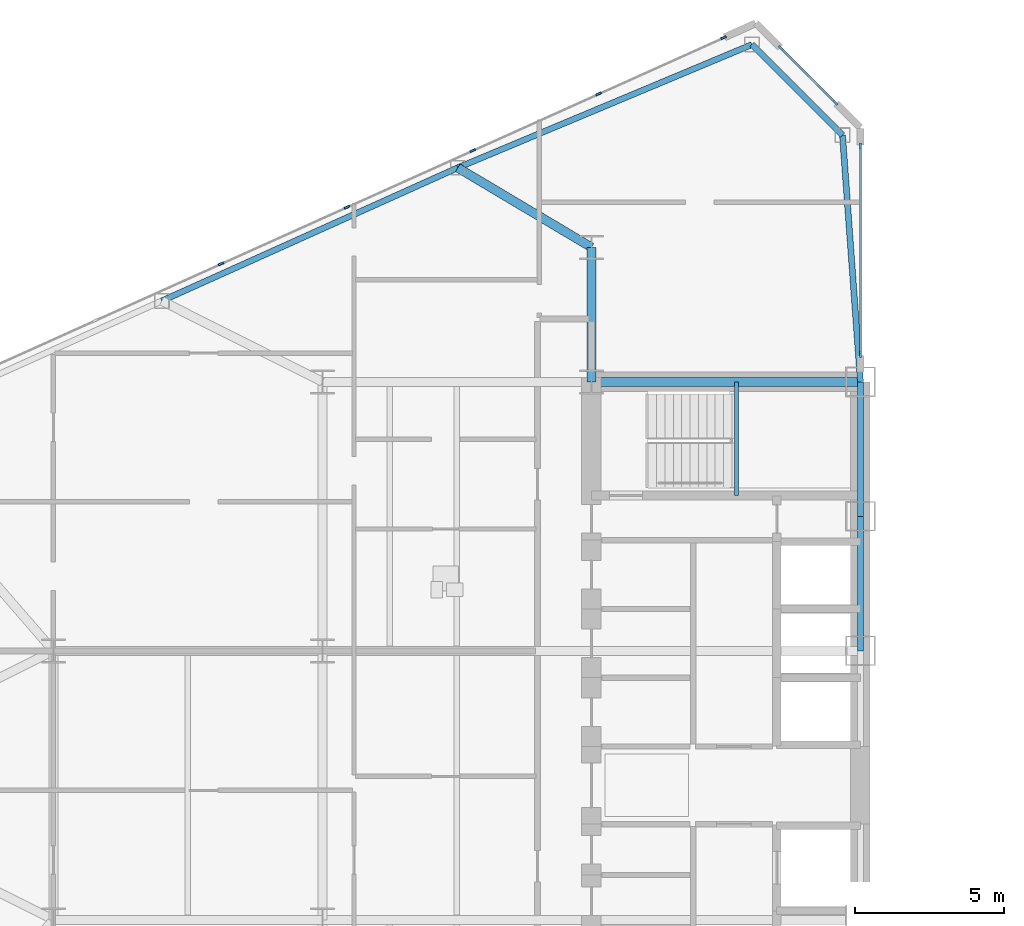
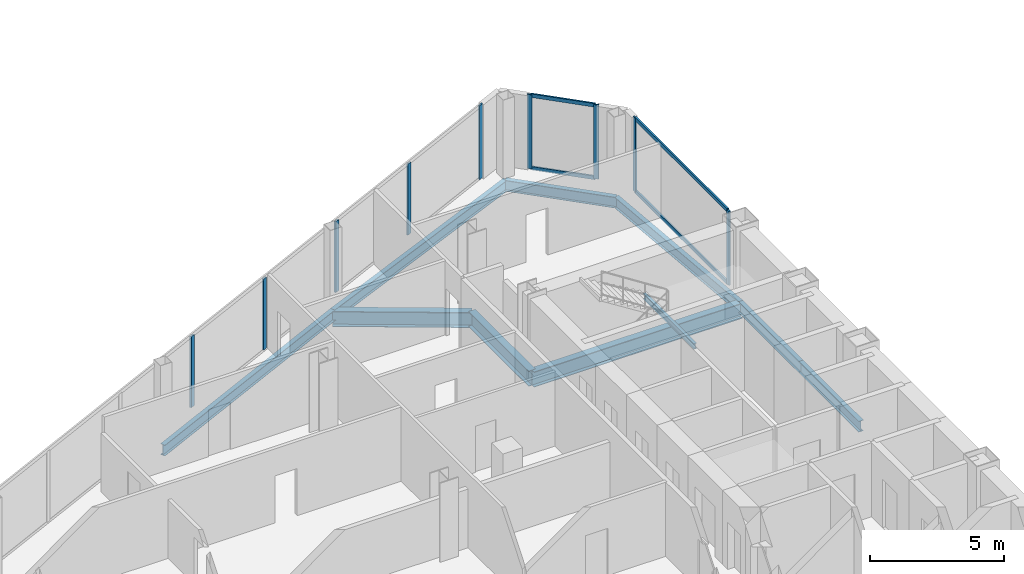
# One storey, part 9 of 27: 13 members, 10 beams, 3 elements without a shape of their own.
"""IFC4 building model written with IfcOpenShell, lengths in metres."""

from ifc_helpers import new_model, si_unit, direction, frame, origin, origin_2d, place, context, subcontext, project, spatial, rectangle, i_section, extrude, source, transform, mapped, material, layer, layer_set, material_profile, profile_set, type_object, type_shapes, element, aggregate, save


model = new_model("IFC4")

# Units and contexts
model_context = context("Model", 3, precision=1e-05, world=origin(), true_north=direction((0.0, 1.0)))
body_context = subcontext(model_context, "Body", "Model", "MODEL_VIEW")
ifc_project = project(units=[si_unit("LENGTHUNIT", "METRE"), si_unit("AREAUNIT", "SQUARE_METRE"), si_unit("VOLUMEUNIT", "CUBIC_METRE"), si_unit("PLANEANGLEUNIT", "RADIAN"), si_unit("MASSUNIT", "GRAM", prefix="KILO")], contexts=[model_context])

# Site, building, storey
site_placement = place(None, origin())
site = spatial("IfcSite", under=ifc_project, at=site_placement, CompositionType="ELEMENT")
building_placement = place(site_placement, origin())
building = spatial("IfcBuilding", under=site, at=building_placement, Name="Seokmaru Belvedere", CompositionType="ELEMENT")
storey_placement = place(building_placement, frame((0.0, 0.0, 76.5)))
storey = spatial("IfcBuildingStorey", under=building, at=storey_placement, Name="L20", CompositionType="ELEMENT", Elevation=76.5)

# Beams
ifc_material_1 = material(Name="Steel SM355 (355 MPa)", Category="steel")
ifc_material_profile_1 = material_profile(ifc_material_1, i_section(OverallWidth=0.199951171875, OverallDepth=0.5, WebThickness=0.010009765625, FlangeThickness=0.01611328125, at=origin_2d()), Name="H-500x200x10x16")
ifc_profile_set_1 = profile_set([ifc_material_profile_1], Name="Steel SM355 (355 MPa)")
beam_type_1 = type_object("IfcBeamType", Name="Perimeter Spandrel Beam H-500", PredefinedType="SPANDREL", material=ifc_profile_set_1)
shared_shape_1 = source(origin(), body_context, "Body", "SweptSolid", [
    extrude(i_section(OverallWidth=0.199951171875, OverallDepth=0.5, WebThickness=0.010009765625, FlangeThickness=0.01611328125, at=origin_2d()), origin(), (0.0, 0.0, 1.0), 4.5),
])
for number, where, z_axis, x_axis, name in (
    (1, (-27.5, 4.5, -0.469970703125), (0.0, 1.0, 0.0), (-1.0, 0.0, 0.0), "L20 W Portal Spine Spandrel 4"),
    (2, (-27.5, 9.0, -0.469970703125), (0.0, 1.0, 0.0), (-1.0, 0.0, 0.0), "L20 W Portal Spine Spandrel 5"),
):
    element("IfcBeam", number, at=place(storey_placement, frame(where, z_axis=z_axis, x_axis=x_axis)), inside=storey, type_object=beam_type_1, Name=name, PredefinedType="SPANDREL", context=body_context, shape_type="MappedRepresentation", body=[
        mapped(shared_shape_1, transform((0.0, 0.0, 0.0), scale=1.0)),
    ])
ifc_material_profile_2 = material_profile(ifc_material_1, i_section(OverallWidth=0.300048828125, OverallDepth=0.699951171875, WebThickness=0.012939453125, FlangeThickness=0.02392578125, at=origin_2d()), Name="H-700x300x13x24")
ifc_profile_set_2 = profile_set([ifc_material_profile_2], Name="Steel SM355 (355 MPa)")
beam_type_2 = type_object("IfcBeamType", Name="Primary Floor Girder H-700", PredefinedType="BEAM", material=ifc_profile_set_2)
shared_shape_2 = source(origin(), body_context, "Body", "SweptSolid", [
    extrude(i_section(OverallWidth=0.300048828125, OverallDepth=0.699951171875, WebThickness=0.012939453125, FlangeThickness=0.02392578125, at=origin_2d()), origin(), (0.0, 0.0, 1.0), 4.5),
])
beam_1_placement = place(storey_placement, frame((-36.5, 13.5, -0.570068359375), z_axis=(0.0, 1.0, 0.0), x_axis=(-1.0, 0.0, 0.0)))
element("IfcBeam", 3, at=beam_1_placement, inside=storey, type_object=beam_type_2, Name="L20 W Core Shoulder Girder N", PredefinedType="BEAM", context=body_context, shape_type="MappedRepresentation", body=[
    mapped(shared_shape_2, transform((0.0, 0.0, 0.0), scale=1.0)),
])
shared_shape_3 = source(origin(), body_context, "Body", "SweptSolid", [
    extrude(i_section(OverallWidth=0.300048828125, OverallDepth=0.699951171875, WebThickness=0.012939453125, FlangeThickness=0.02392578125, at=origin_2d()), origin(), (0.0, 0.0, 1.0), 9.0),
])
beam_2_placement = place(storey_placement, frame((-36.5, 13.5, -0.570068359375), z_axis=(1.0, 0.0, 0.0), x_axis=(0.0, 1.0, 0.0)))
element("IfcBeam", 4, at=beam_2_placement, inside=storey, type_object=beam_type_2, Name="L20 W Core Tie Girder 4", PredefinedType="BEAM", context=body_context, shape_type="MappedRepresentation", body=[
    mapped(shared_shape_3, transform((0.0, 0.0, 0.0), scale=1.0)),
])
shared_shape_4 = source(origin(), body_context, "Body", "SweptSolid", [
    extrude(i_section(OverallWidth=0.199951171875, OverallDepth=0.5, WebThickness=0.010009765625, FlangeThickness=0.01611328125, at=origin_2d()), origin(), (0.0, 0.0, 1.0), 10.66943359375),
])
beam_3_placement = place(storey_placement, frame((-31.13134765625, 24.782958984375, -0.469970703125), z_axis=(-0.922375393128, -0.386294750355, 0.0), x_axis=(0.386294750355, -0.922375393128, 0.0)))
element("IfcBeam", 5, at=beam_3_placement, inside=storey, type_object=beam_type_1, Name="L20 W Faceted Flank Spandrel N-1", PredefinedType="SPANDREL", context=body_context, shape_type="MappedRepresentation", body=[
    mapped(shared_shape_4, transform((0.0, 0.0, 0.0), scale=1.0)),
])
shared_shape_5 = source(origin(), body_context, "Body", "SweptSolid", [
    extrude(i_section(OverallWidth=0.199951171875, OverallDepth=0.5, WebThickness=0.010009765625, FlangeThickness=0.01611328125, at=origin_2d()), origin(), (0.0, 0.0, 1.0), 10.85888671875),
])
beam_4_placement = place(storey_placement, frame((-40.97265625, 20.661376953125, -0.469970703125), z_axis=(-0.911921505175, -0.410364677329, 0.0), x_axis=(0.410364677329, -0.911921505175, 0.0)))
element("IfcBeam", 6, at=beam_4_placement, inside=storey, type_object=beam_type_1, Name="L20 W Faceted Flank Spandrel N-2", PredefinedType="SPANDREL", context=body_context, shape_type="MappedRepresentation", body=[
    mapped(shared_shape_5, transform((0.0, 0.0, 0.0), scale=1.0)),
])
shared_shape_6 = source(origin(), body_context, "Body", "SweptSolid", [
    extrude(i_section(OverallWidth=0.199951171875, OverallDepth=0.5, WebThickness=0.010009765625, FlangeThickness=0.01611328125, at=origin_2d()), origin(), (0.0, 0.0, 1.0), 4.287109375),
])
beam_5_placement = place(storey_placement, frame((-31.13134765625, 24.782958984375, -0.469970703125), z_axis=(0.707078306132, -0.707135255094, 0.0), x_axis=(0.707135255094, 0.707078306132, 0.0)))
element("IfcBeam", 7, at=beam_5_placement, inside=storey, type_object=beam_type_1, Name="L20 W Shoulder Chamfer Spandrel N", PredefinedType="SPANDREL", context=body_context, shape_type="MappedRepresentation", body=[
    mapped(shared_shape_6, transform((0.0, 0.0, 0.0), scale=1.0)),
])
shared_shape_7 = source(origin(), body_context, "Body", "SweptSolid", [
    extrude(i_section(OverallWidth=0.199951171875, OverallDepth=0.5, WebThickness=0.010009765625, FlangeThickness=0.01611328125, at=origin_2d()), origin(), (0.0, 0.0, 1.0), 8.273193359375),
])
type_shapes(beam_type_1, [shared_shape_1, shared_shape_4, shared_shape_5, shared_shape_6, shared_shape_7])
beam_6_placement = place(storey_placement, frame((-28.10009765625, 21.75146484375, -0.469970703125), z_axis=(0.072534628348, -0.99736589459, 0.0), x_axis=(0.99736589459, 0.072534628348, 0.0)))
element("IfcBeam", 8, at=beam_6_placement, inside=storey, type_object=beam_type_1, Name="L20 W Shoulder Spine Spandrel N", PredefinedType="SPANDREL", context=body_context, shape_type="MappedRepresentation", body=[
    mapped(shared_shape_7, transform((0.0, 0.0, 0.0), scale=1.0)),
])
shared_shape_8 = source(origin(), body_context, "Body", "SweptSolid", [
    extrude(i_section(OverallWidth=0.300048828125, OverallDepth=0.699951171875, WebThickness=0.012939453125, FlangeThickness=0.02392578125, at=origin_2d()), origin(), (0.0, 0.0, 1.0), 5.20458984375),
])
type_shapes(beam_type_2, [shared_shape_2, shared_shape_3, shared_shape_8])
beam_7_placement = place(storey_placement, frame((-40.97265625, 20.661376953125, -0.570068359375), z_axis=(0.859370434188, -0.511353553662, 0.0), x_axis=(0.511353553662, 0.859370434188, 0.0)))
element("IfcBeam", 9, at=beam_7_placement, inside=storey, type_object=beam_type_2, Name="L20 W Flank Radial Floor Girder N-1", PredefinedType="BEAM", context=body_context, shape_type="MappedRepresentation", body=[
    mapped(shared_shape_8, transform((0.0, 0.0, 0.0), scale=1.0)),
])

# Curtain wall, members
ifc_material_2 = material(Name="Bronze Triple Insulating Glass", Category="glass")
ifc_layer = layer(ifc_material_2, 0.195068359375)
ifc_layer_set = layer_set([ifc_layer], Name="Bronze Triple Insulating Glass")
curtain_wall_type = type_object("IfcCurtainWallType", Name="Lower-Mid Tapered Curtain Wall System CW-3", PredefinedType="NOTDEFINED", material=ifc_layer_set)
curtain_wall_1_placement = place(storey_placement, origin())
curtain_wall_1 = element("IfcCurtainWall", 10, at=curtain_wall_1_placement, inside=storey, type_object=curtain_wall_type, Name="L20 Curtain Wall WSP_2", PredefinedType="NOTDEFINED")
ifc_material_3 = material(Name="Anodised Bronze Aluminium", Category="aluminium")
ifc_material_profile_3 = material_profile(ifc_material_3, rectangle(XDim=0.070068359375, YDim=0.195068359375, at=origin_2d()), Name="CW-M-70x195")
ifc_profile_set_3 = profile_set([ifc_material_profile_3], Name="Anodised Bronze Aluminium")
member_type_1 = type_object("IfcMemberType", Name="Bronze Unitised Mullion 70x195", PredefinedType="MULLION", material=ifc_profile_set_3)
shared_shape_9 = source(origin(), body_context, "Body", "SweptSolid", [
    extrude(rectangle(XDim=0.070068359375, YDim=0.195068359375, at=origin_2d()), origin(), (0.0, 0.0, 1.0), 3.3798828125),
])
member_1_placement = place(storey_placement, frame((-27.5, 14.4150390625, 0.0), z_axis=(0.0, 0.0, 1.0), x_axis=(-1.0, 0.0, 0.0)))
member_1 = element("IfcMember", 11, at=member_1_placement, type_object=member_type_1, Name="CW:L20:WSP_2 Mullion 1", PredefinedType="MULLION", context=body_context, shape_type="MappedRepresentation", body=[
    mapped(shared_shape_9, transform((0.0, 0.0, 0.0), scale=1.0)),
])
member_2_placement = place(storey_placement, frame((-27.5, 21.39501953125, 0.0), z_axis=(0.0, 0.0, 1.0), x_axis=(-1.0, 0.0, 0.0)))
member_2 = element("IfcMember", 12, at=member_2_placement, type_object=member_type_1, Name="CW:L20:WSP_2 Mullion 2", PredefinedType="MULLION", context=body_context, shape_type="MappedRepresentation", body=[
    mapped(shared_shape_9, transform((0.0, 0.0, 0.0), scale=1.0)),
])

curtain_wall_2_placement = place(storey_placement, origin())
curtain_wall_2 = element("IfcCurtainWall", 13, at=curtain_wall_2_placement, inside=storey, type_object=curtain_wall_type, Name="L20 Curtain Wall WF2", PredefinedType="NOTDEFINED")
member_3_placement = place(storey_placement, frame((-28.337890625, 22.837890625, 0.0), z_axis=(0.0, 0.0, 1.0), x_axis=(-0.707106781187, -0.707106781187, 0.0)))
member_3 = element("IfcMember", 14, at=member_3_placement, type_object=member_type_1, Name="CW:L20:WF2 Mullion 1", PredefinedType="MULLION", context=body_context, shape_type="MappedRepresentation", body=[
    mapped(shared_shape_9, transform((0.0, 0.0, 0.0), scale=1.0)),
])
member_4_placement = place(storey_placement, frame((-30.162109375, 24.662109375, 0.0), z_axis=(0.0, 0.0, 1.0), x_axis=(-0.707106781187, -0.707106781187, 0.0)))
member_4 = element("IfcMember", 15, at=member_4_placement, type_object=member_type_1, Name="CW:L20:WF2 Mullion 2", PredefinedType="MULLION", context=body_context, shape_type="MappedRepresentation", body=[
    mapped(shared_shape_9, transform((0.0, 0.0, 0.0), scale=1.0)),
])

# Curtain wall, member
curtain_wall_3_placement = place(storey_placement, origin())
curtain_wall_3 = element("IfcCurtainWall", 16, at=curtain_wall_3_placement, inside=storey, type_object=curtain_wall_type, Name="L20 Curtain Wall WF3", PredefinedType="NOTDEFINED")
member_5_placement = place(storey_placement, frame((-32.08056640625, 25.013671875, 0.0), z_axis=(0.0, 0.0, 1.0), x_axis=(0.41036554765, -0.91192111353, 0.0)))
member_5 = element("IfcMember", 17, at=member_5_placement, type_object=member_type_1, Name="CW:L20:WF3 Mullion 1", PredefinedType="MULLION", context=body_context, shape_type="MappedRepresentation", body=[
    mapped(shared_shape_9, transform((0.0, 0.0, 0.0), scale=1.0)),
])

# Member
ifc_material_profile_4 = material_profile(ifc_material_3, rectangle(XDim=0.070068359375, YDim=0.1650390625, at=origin_2d()), Name="CW-T-70x165")
ifc_profile_set_4 = profile_set([ifc_material_profile_4], Name="Anodised Bronze Aluminium")
member_type_2 = type_object("IfcMemberType", Name="Bronze Unitised Transom 70x165", PredefinedType="USERDEFINED", material=ifc_profile_set_4)
shared_shape_10 = source(origin(), body_context, "Body", "SweptSolid", [
    extrude(rectangle(XDim=0.070068359375, YDim=0.1650390625, at=origin_2d()), origin(), (0.0, 0.0, 1.0), 6.91015625),
])
member_6_placement = place(storey_placement, frame((-27.5, 14.449951171875, 0.034912109375), z_axis=(0.0, 1.0, 0.0), x_axis=(-1.0, 0.0, 0.0)))
member_6 = element("IfcMember", 18, at=member_6_placement, type_object=member_type_2, Name="CW:L20:WSP_2 Continuous Transom 1", ObjectType="TRANSOM", PredefinedType="USERDEFINED", context=body_context, shape_type="MappedRepresentation", body=[
    mapped(shared_shape_10, transform((0.0, 0.0, 0.0), scale=1.0)),
])

member_7_placement = place(storey_placement, frame((-27.5, 14.449951171875, 3.344970703125), z_axis=(0.0, 1.0, 0.0), x_axis=(-1.0, 0.0, 0.0)))
member_7 = element("IfcMember", 19, at=member_7_placement, type_object=member_type_2, Name="CW:L20:WSP_2 Continuous Transom 2", ObjectType="TRANSOM", PredefinedType="USERDEFINED", context=body_context, shape_type="MappedRepresentation", body=[
    mapped(shared_shape_10, transform((0.0, 0.0, 0.0), scale=1.0)),
])

aggregate(curtain_wall_1, [member_1, member_2, member_6, member_7])

shared_shape_11 = source(origin(), body_context, "Body", "SweptSolid", [
    extrude(rectangle(XDim=0.070068359375, YDim=0.1650390625, at=origin_2d()), origin(), (0.0, 0.0, 1.0), 2.509521484375),
])
type_shapes(member_type_2, [shared_shape_10, shared_shape_11])
member_8_placement = place(storey_placement, frame((-28.36279296875, 22.86279296875, 0.034912109375), z_axis=(-0.707106781187, 0.707106781187, 0.0), x_axis=(-0.707106781187, -0.707106781187, 0.0)))
member_8 = element("IfcMember", 20, at=member_8_placement, type_object=member_type_2, Name="CW:L20:WF2 Continuous Transom 1", ObjectType="TRANSOM", PredefinedType="USERDEFINED", context=body_context, shape_type="MappedRepresentation", body=[
    mapped(shared_shape_11, transform((0.0, 0.0, 0.0), scale=1.0)),
])

member_9_placement = place(storey_placement, frame((-28.36279296875, 22.86279296875, 3.344970703125), z_axis=(-0.707106781187, 0.707106781187, 0.0), x_axis=(-0.707106781187, -0.707106781187, 0.0)))
member_9 = element("IfcMember", 21, at=member_9_placement, type_object=member_type_2, Name="CW:L20:WF2 Continuous Transom 2", ObjectType="TRANSOM", PredefinedType="USERDEFINED", context=body_context, shape_type="MappedRepresentation", body=[
    mapped(shared_shape_11, transform((0.0, 0.0, 0.0), scale=1.0)),
])

aggregate(curtain_wall_2, [member_3, member_4, member_8, member_9])

shared_shape_12 = source(origin(), body_context, "Body", "SweptSolid", [
    extrude(rectangle(XDim=0.070068359375, YDim=0.195068359375, at=origin_2d()), origin(), (0.0, 0.0, 1.0), 3.239990234375),
])
type_shapes(member_type_1, [shared_shape_9, shared_shape_12])
member_10_placement = place(storey_placement, frame((-36.260009765625, 23.133056640625, 0.070068359375), z_axis=(0.0, 0.0, 1.0), x_axis=(0.41036554765, -0.91192111353, 0.0)))
member_10 = element("IfcMember", 22, at=member_10_placement, type_object=member_type_1, Name="CW:L20:WF3 Mullion 2", PredefinedType="MULLION", context=body_context, shape_type="MappedRepresentation", body=[
    mapped(shared_shape_12, transform((0.0, 0.0, 0.0), scale=1.0)),
])

member_11_placement = place(storey_placement, frame((-40.471435546875, 21.23779296875, 0.070068359375), z_axis=(0.0, 0.0, 1.0), x_axis=(0.41036554765, -0.91192111353, 0.0)))
member_11 = element("IfcMember", 23, at=member_11_placement, type_object=member_type_1, Name="CW:L20:WF3 Mullion 3", PredefinedType="MULLION", context=body_context, shape_type="MappedRepresentation", body=[
    mapped(shared_shape_12, transform((0.0, 0.0, 0.0), scale=1.0)),
])

member_12_placement = place(storey_placement, frame((-44.682861328125, 19.3427734375, 0.070068359375), z_axis=(0.0, 0.0, 1.0), x_axis=(0.41036554765, -0.91192111353, 0.0)))
member_12 = element("IfcMember", 24, at=member_12_placement, type_object=member_type_1, Name="CW:L20:WF3 Mullion 4", PredefinedType="MULLION", context=body_context, shape_type="MappedRepresentation", body=[
    mapped(shared_shape_12, transform((0.0, 0.0, 0.0), scale=1.0)),
])

member_13_placement = place(storey_placement, frame((-48.894287109375, 17.447509765625, 0.070068359375), z_axis=(0.0, 0.0, 1.0), x_axis=(0.41036554765, -0.91192111353, 0.0)))
member_13 = element("IfcMember", 25, at=member_13_placement, type_object=member_type_1, Name="CW:L20:WF3 Mullion 5", PredefinedType="MULLION", context=body_context, shape_type="MappedRepresentation", body=[
    mapped(shared_shape_12, transform((0.0, 0.0, 0.0), scale=1.0)),
])

aggregate(curtain_wall_3, [member_5, member_10, member_11, member_12, member_13])

# Beam
ifc_material_profile_5 = material_profile(ifc_material_1, i_section(OverallWidth=0.125, OverallDepth=0.25, WebThickness=0.006103515625, FlangeThickness=0.009033203125, at=origin_2d()), Name="H-250x125x6x9")
ifc_profile_set_5 = profile_set([ifc_material_profile_5], Name="Steel SM355 (355 MPa)")
beam_type_3 = type_object("IfcBeamType", Name="Stair Mid-Landing Support Beam H-250", PredefinedType="JOIST", material=ifc_profile_set_5)
shared_shape_13 = source(origin(), body_context, "Body", "SweptSolid", [
    extrude(i_section(OverallWidth=0.125, OverallDepth=0.25, WebThickness=0.006103515625, FlangeThickness=0.009033203125, at=origin_2d()), origin(), (0.0, 0.0, 1.0), 3.800048828125),
])
type_shapes(beam_type_3, [shared_shape_13])
beam_8_placement = place(storey_placement, frame((-31.64990234375, 9.699951171875, 1.47509765625), z_axis=(0.0, 1.0, 0.0), x_axis=(-1.0, 0.0, 0.0)))
element("IfcBeam", 26, at=beam_8_placement, inside=storey, type_object=beam_type_3, Name="L20 Stair ST-W2 Mid-Landing Support Beam 1", PredefinedType="JOIST", context=body_context, shape_type="MappedRepresentation", body=[
    mapped(shared_shape_13, transform((0.0, 0.0, 0.0), scale=1.0)),
])

save(model, "model.ifc")
